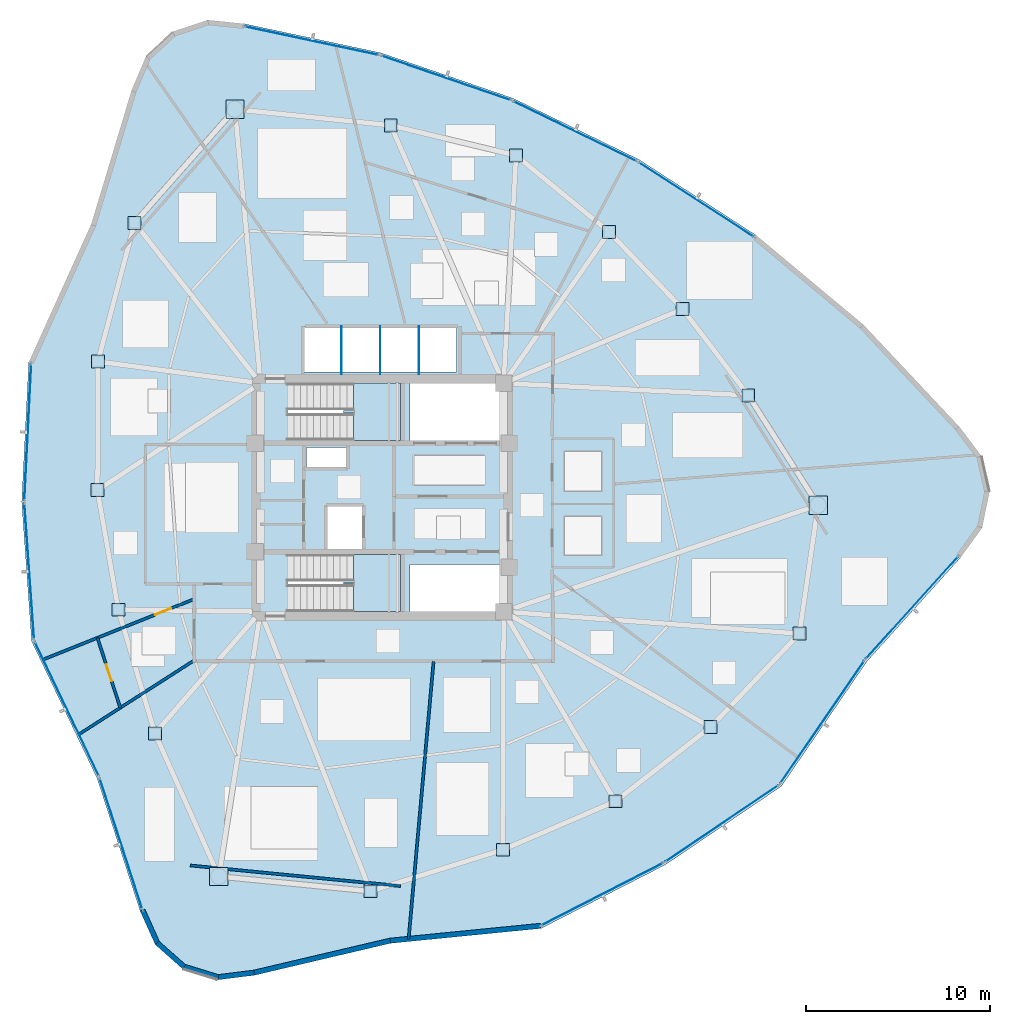
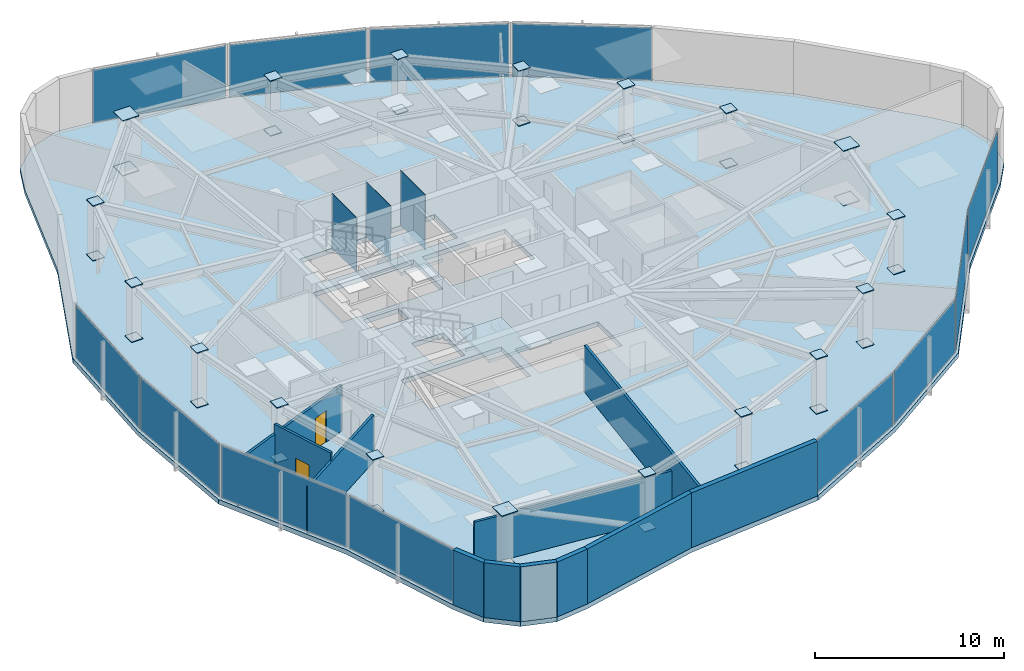
# One storey, part 10 of 17: 51 plates, 11 walls, 3 slabs, 2 doors, 2 openings, 14 elements without a shape of their own.
"""IFC4 building model written with IfcOpenShell, lengths in metres."""

from ifc_helpers import new_model, si_unit, direction, frame, frame_2d, origin, origin_2d, place, context, subcontext, project, spatial, polyline, rectangle, outline, extrude, source, transform, mapped, material, layer, layer_set, type_object, type_shapes, element, fill, aggregate, save


model = new_model("IFC4")

# Units and contexts
model_context = context("Model", 3, precision=1e-05, world=origin(), true_north=direction((0.0, 1.0)))
body_context = subcontext(model_context, "Body", "Model", "MODEL_VIEW")
ifc_project = project(units=[si_unit("LENGTHUNIT", "METRE"), si_unit("AREAUNIT", "SQUARE_METRE"), si_unit("VOLUMEUNIT", "CUBIC_METRE"), si_unit("PLANEANGLEUNIT", "RADIAN"), si_unit("MASSUNIT", "GRAM", prefix="KILO")], contexts=[model_context])

# Site, building, storey
site_placement = place(None, origin())
site = spatial("IfcSite", under=ifc_project, at=site_placement, CompositionType="ELEMENT")
building_placement = place(site_placement, origin())
building = spatial("IfcBuilding", under=site, at=building_placement, Name="Tavelor Broadcast Tower", CompositionType="ELEMENT")
storey_placement = place(building_placement, frame((0.0, 0.0, 161.800048828125)))
storey = spatial("IfcBuildingStorey", under=building, at=storey_placement, Name="L38", CompositionType="ELEMENT", Elevation=161.800048828125)

# Stair, slab
ifc_material_1 = material(Name="Concrete C40/50", Category="concrete")
stair_type = type_object("IfcStairType", Name="Reinforced Concrete Protected Dogleg Stair 1450 mm", PredefinedType="HALF_TURN_STAIR", material=ifc_material_1)
stair_1_placement = place(storey_placement, origin())
stair_1 = element("IfcStair", 1, at=stair_1_placement, inside=storey, type_object=stair_type, Name="L38 Protected Core Exit Stair ST1", PredefinedType="HALF_TURN_STAIR")
ifc_layer_1 = layer(ifc_material_1, 0.199951171875)
ifc_layer_set_1 = layer_set([ifc_layer_1], Name="Concrete C40/50")
slab_type_1 = type_object("IfcSlabType", Name="Reinforced Concrete Stair Half-Landing Slab 200 mm", PredefinedType="LANDING", material=ifc_layer_set_1)
slab_1_placement = place(storey_placement, frame((0.0, 0.0, 1.724853515625)))
slab_1 = element("IfcSlab", 2, at=slab_1_placement, type_object=slab_type_1, Name="ST1 landing 1", PredefinedType="LANDING", context=body_context, shape_type="SweptSolid", body=[
    extrude(outline(polyline([(48.445068359375, 49.590087890625), (48.445068359375, 48.094970703125), (51.0048828125, 48.094970703125), (51.0048828125, 51.205078125), (48.445068359375, 51.205078125), (48.445068359375, 49.7099609375), (47.905029296875, 49.7099609375), (47.905029296875, 49.590087890625), (48.445068359375, 49.590087890625)])), origin(), (0.0, 0.0, 1.0), 0.2001953125),
])
aggregate(stair_1, [slab_1])

stair_2_placement = place(storey_placement, origin())
stair_2 = element("IfcStair", 3, at=stair_2_placement, inside=storey, type_object=stair_type, Name="L38 Protected Core Exit Stair ST2", PredefinedType="HALF_TURN_STAIR")
slab_2_placement = place(storey_placement, frame((0.0, 0.0, 1.724853515625)))
slab_2 = element("IfcSlab", 4, at=slab_2_placement, type_object=slab_type_1, Name="ST2 landing 1", PredefinedType="LANDING", context=body_context, shape_type="SweptSolid", body=[
    extrude(outline(polyline([(48.445068359375, 40.2900390625), (48.445068359375, 38.794921875), (51.0048828125, 38.794921875), (51.0048828125, 41.905029296875), (48.445068359375, 41.905029296875), (48.445068359375, 40.409912109375), (47.905029296875, 40.409912109375), (47.905029296875, 40.2900390625), (48.445068359375, 40.2900390625)])), origin(), (0.0, 0.0, 1.0), 0.2001953125),
])
aggregate(stair_2, [slab_2])

# Slab
ifc_layer_2 = layer(ifc_material_1, 0.300048828125)
ifc_layer_set_2 = layer_set([ifc_layer_2], Name="Concrete C40/50")
slab_type_2 = type_object("IfcSlabType", Name="Tower Composite Floor Slab 300 mm", PredefinedType="FLOOR", material=ifc_layer_set_2)
slab_3_placement = place(storey_placement, frame((0.0, 0.0, -0.300048828125)))
element("IfcSlab", 5, at=slab_3_placement, inside=storey, type_object=slab_type_2, Name="L38 Structural Floor Slab", PredefinedType="FLOOR", context=body_context, shape_type="SweptSolid", body=[
    extrude(outline(polyline([(42.516845703125, 70.720458984375), (40.533203125, 70.923583984375), (38.64208984375, 70.29248046875), (37.177734375, 68.939208984375), (36.400390625, 67.103271484375), (34.2099609375, 59.8369140625), (30.81494140625, 52.337158203125), (30.43408203125, 44.75732421875), (30.973388671875, 37.1875), (34.52490234375, 29.76025390625), (36.8671875, 22.54150390625), (37.682861328125, 20.72216796875), (39.1748046875, 19.399658203125), (41.0791015625, 18.808349609375), (43.057861328125, 19.052978515625), (50.44580078125, 20.789306640625), (58.638427734375, 21.598876953125), (65.39306640625, 25.05908203125), (71.67919921875, 29.311279296875), (76.335693359375, 36.100341796875), (81.416259765625, 41.738037109375), (82.583984375, 43.354248046875), (82.983154296875, 45.3076171875), (82.543212890625, 47.25244140625), (81.341796875, 48.84375), (76.144287109375, 54.373779296875), (70.31591796875, 59.234375), (63.94189453125, 63.35400390625), (57.116455078125, 66.671875), (49.939453125, 69.139404296875), (42.516845703125, 70.720458984375)]), holes=[polyline([(56.60009765625, 41.35009765625), (56.60009765625, 38.800048828125), (51.52001953125, 38.800048828125), (51.52001953125, 41.35009765625), (56.60009765625, 41.35009765625)]), polyline([(50.99609375, 38.803955078125), (44.85400390625, 38.803955078125), (44.85400390625, 41.89599609375), (50.99609375, 41.89599609375), (50.99609375, 38.803955078125)]), polyline([(47.050048828125, 42.199951171875), (47.050048828125, 44.550048828125), (48.949951171875, 44.550048828125), (48.949951171875, 42.199951171875), (47.050048828125, 42.199951171875)]), polyline([(48.050048828125, 46.64990234375), (45.89990234375, 46.64990234375), (45.89990234375, 47.699951171875), (48.050048828125, 47.699951171875), (48.050048828125, 46.64990234375)]), polyline([(50.99609375, 48.10400390625), (44.85400390625, 48.10400390625), (44.85400390625, 51.196044921875), (50.99609375, 51.196044921875), (50.99609375, 48.10400390625)]), polyline([(56.60009765625, 48.10009765625), (51.52001953125, 48.10009765625), (51.52001953125, 51.199951171875), (56.60009765625, 51.199951171875), (56.60009765625, 48.10009765625)]), polyline([(54.050048828125, 51.800048828125), (45.800048828125, 51.800048828125), (45.800048828125, 54.25), (54.050048828125, 54.25), (54.050048828125, 51.800048828125)])]), origin(), (0.0, 0.0, 1.0), 0.300048828125),
])

# Plates
ifc_material_2 = material(Name="Steel S460", Category="steel")
ifc_layer_3 = layer(ifc_material_2, 0.050048828125)
ifc_layer_set_3 = layer_set([ifc_layer_3], Name="Steel S460")
plate_type_1 = type_object("IfcPlateType", Name="Tube Hollow-End Cap Plate KN05 700x700x50", PredefinedType="USERDEFINED", material=ifc_layer_set_3)
shared_shape_1 = source(origin(), body_context, "Body", "SweptSolid", [
    extrude(rectangle(XDim=0.699951171875, YDim=0.699951171875, at=origin_2d()), origin(), (0.0, 0.0, 1.0), 0.054931640625),
])
for number, where, z_axis, x_axis, name in (
    (6, (36.567626953125, 59.91064453125, -0.02734375), (0.0, 0.0, 1.0), (1.0, 0.0, 0.0), "L38 Hollow End Cap Plate KN05 #1073"),
    (7, (36.567626953125, 59.91064453125, 3.5224609375), (0.0, 0.0, 1.0), (1.0, 0.0, 0.0), "L38 Hollow End Cap Plate KN05 #1074"),
    (8, (34.5751953125, 52.37939453125, -0.02734375), (0.0, 0.0, 1.0), (1.0, 0.0, 0.0), "L38 Hollow End Cap Plate KN05 #1075"),
    (9, (34.5751953125, 52.37939453125, 3.5224609375), (0.0, 0.0, 1.0), (1.0, 0.0, 0.0), "L38 Hollow End Cap Plate KN05 #1076"),
    (10, (34.54638671875, 45.399169921875, -0.02734375), (0.0, 0.0, 1.0), (1.0, 0.0, 0.0), "L38 Hollow End Cap Plate KN05 #1077"),
    (11, (34.54638671875, 45.399169921875, 3.5224609375), (0.0, 0.0, 1.0), (1.0, 0.0, 0.0), "L38 Hollow End Cap Plate KN05 #1078"),
    (12, (35.680908203125, 38.89990234375, -0.02734375), (0.0, 0.0, 1.0), (1.0, 0.0, 0.0), "L38 Hollow End Cap Plate KN05 #1079"),
    (13, (35.680908203125, 38.89990234375, 3.5224609375), (0.0, 0.0, 1.0), (1.0, 0.0, 0.0), "L38 Hollow End Cap Plate KN05 #1080"),
    (14, (37.668212890625, 32.1904296875, -0.02734375), (0.0, 0.0, 1.0), (1.0, 0.0, 0.0), "L38 Hollow End Cap Plate KN05 #1081"),
    (15, (37.668212890625, 32.1904296875, 3.5224609375), (0.0, 0.0, 1.0), (1.0, 0.0, 0.0), "L38 Hollow End Cap Plate KN05 #1082"),
    (16, (49.366455078125, 23.618896484375, -0.02734375), (0.0, 0.0, 1.0), (1.0, 0.0, 0.0), "L38 Hollow End Cap Plate KN05 #1085"),
    (17, (49.366455078125, 23.618896484375, 3.5224609375), (0.0, 0.0, 1.0), (1.0, 0.0, 0.0), "L38 Hollow End Cap Plate KN05 #1086"),
    (18, (56.56103515625, 25.872802734375, -0.02734375), (0.0, 0.0, 1.0), (1.0, 0.0, 0.0), "L38 Hollow End Cap Plate KN05 #1087"),
    (19, (56.56103515625, 25.872802734375, 3.5224609375), (0.0, 0.0, 1.0), (1.0, 0.0, 0.0), "L38 Hollow End Cap Plate KN05 #1088"),
    (20, (62.669189453125, 28.503173828125, -0.02734375), (0.0, 0.0, 1.0), (1.0, 0.0, 0.0), "L38 Hollow End Cap Plate KN05 #1089"),
    (21, (62.669189453125, 28.503173828125, 3.5224609375), (0.0, 0.0, 1.0), (1.0, 0.0, 0.0), "L38 Hollow End Cap Plate KN05 #1090"),
    (22, (67.84228515625, 32.53173828125, -0.02734375), (0.0, 0.0, 1.0), (1.0, 0.0, 0.0), "L38 Hollow End Cap Plate KN05 #1091"),
    (23, (67.84228515625, 32.53173828125, 3.5224609375), (0.0, 0.0, 1.0), (1.0, 0.0, 0.0), "L38 Hollow End Cap Plate KN05 #1092"),
    (24, (72.6591796875, 37.607421875, -0.02734375), (0.0, 0.0, 1.0), (1.0, 0.0, 0.0), "L38 Hollow End Cap Plate KN05 #1093"),
    (25, (72.6591796875, 37.607421875, 3.5224609375), (0.0, 0.0, 1.0), (1.0, 0.0, 0.0), "L38 Hollow End Cap Plate KN05 #1094"),
    (26, (69.885986328125, 50.544189453125, -0.02734375), (0.0, 0.0, 1.0), (1.0, 0.0, 0.0), "L38 Hollow End Cap Plate KN05 #1097"),
    (27, (69.885986328125, 50.544189453125, 3.5224609375), (0.0, 0.0, 1.0), (1.0, 0.0, 0.0), "L38 Hollow End Cap Plate KN05 #1098"),
    (28, (66.322021484375, 55.228759765625, -0.02734375), (0.0, 0.0, 1.0), (1.0, 0.0, 0.0), "L38 Hollow End Cap Plate KN05 #1099"),
    (29, (66.322021484375, 55.228759765625, 3.5224609375), (0.0, 0.0, 1.0), (1.0, 0.0, 0.0), "L38 Hollow End Cap Plate KN05 #1100"),
    (30, (62.330810546875, 59.416259765625, -0.02734375), (0.0, 0.0, 1.0), (1.0, 0.0, 0.0), "L38 Hollow End Cap Plate KN05 #1101"),
    (31, (62.330810546875, 59.416259765625, 3.5224609375), (0.0, 0.0, 1.0), (1.0, 0.0, 0.0), "L38 Hollow End Cap Plate KN05 #1102"),
    (32, (57.276611328125, 63.568359375, -0.02734375), (0.0, 0.0, 1.0), (1.0, 0.0, 0.0), "L38 Hollow End Cap Plate KN05 #1103"),
    (33, (57.276611328125, 63.568359375, 3.5224609375), (0.0, 0.0, 1.0), (1.0, 0.0, 0.0), "L38 Hollow End Cap Plate KN05 #1104"),
    (34, (50.472412109375, 65.2021484375, -0.02734375), (0.0, 0.0, 1.0), (1.0, 0.0, 0.0), "L38 Hollow End Cap Plate KN05 #1105"),
    (35, (50.472412109375, 65.2021484375, 3.5224609375), (0.0, 0.0, 1.0), (1.0, 0.0, 0.0), "L38 Hollow End Cap Plate KN05 #1106"),
):
    element("IfcPlate", number, at=place(storey_placement, frame(where, z_axis=z_axis, x_axis=x_axis)), inside=storey, type_object=plate_type_1, Name=name, ObjectType="CAP PLATE", PredefinedType="USERDEFINED", context=body_context, shape_type="MappedRepresentation", body=[
        mapped(shared_shape_1, transform((0.0, 0.0, 0.0), scale=1.0)),
    ])
shared_shape_2 = source(origin(), body_context, "Body", "SweptSolid", [
    extrude(rectangle(XDim=0.993896484375, YDim=0.993896484375, at=origin_2d()), origin(), (0.0, 0.0, 1.0), 0.054931640625),
])
type_shapes(plate_type_1, [shared_shape_1, shared_shape_2])
for number, where, z_axis, x_axis, name in (
    (36, (42.01123046875, 66.080078125, -0.02734375), (0.0, 0.0, 1.0), (1.0, 0.0, 0.0), "L38 Hollow End Cap Plate KN05 #1071"),
    (37, (42.01123046875, 66.080078125, 3.5224609375), (0.0, 0.0, 1.0), (1.0, 0.0, 0.0), "L38 Hollow End Cap Plate KN05 #1072"),
    (38, (41.138671875, 24.423828125, -0.02734375), (0.0, 0.0, 1.0), (1.0, 0.0, 0.0), "L38 Hollow End Cap Plate KN05 #1083"),
    (39, (41.138671875, 24.423828125, 3.5224609375), (0.0, 0.0, 1.0), (1.0, 0.0, 0.0), "L38 Hollow End Cap Plate KN05 #1084"),
    (40, (73.676025390625, 44.57958984375, -0.02734375), (0.0, 0.0, 1.0), (1.0, 0.0, 0.0), "L38 Hollow End Cap Plate KN05 #1095"),
    (41, (73.676025390625, 44.57958984375, 3.5224609375), (0.0, 0.0, 1.0), (1.0, 0.0, 0.0), "L38 Hollow End Cap Plate KN05 #1096"),
):
    element("IfcPlate", number, at=place(storey_placement, frame(where, z_axis=z_axis, x_axis=x_axis)), inside=storey, type_object=plate_type_1, Name=name, ObjectType="CAP PLATE", PredefinedType="USERDEFINED", context=body_context, shape_type="MappedRepresentation", body=[
        mapped(shared_shape_2, transform((0.0, 0.0, 0.0), scale=1.0)),
    ])
ifc_material_3 = material(Name="Steel S355", Category="steel")
ifc_layer_4 = layer(ifc_material_3, 0.011962890625)
ifc_layer_set_4 = layer_set([ifc_layer_4], Name="Steel S355")
plate_type_2 = type_object("IfcPlateType", Name="Hoistway Steel Separator Screen 12 mm", PredefinedType="SHEET", material=ifc_layer_set_4)
shared_shape_3 = source(origin(), body_context, "Body", "SweptSolid", [
    extrude(rectangle(XDim=0.02001953125, YDim=2.6201171875, at=origin_2d()), origin(), (0.0, 0.0, 1.0), 3.550048828125),
])
type_shapes(plate_type_2, [shared_shape_3])
for number, where, z_axis, x_axis, name in (
    (42, (47.800048828125, 52.989990234375, 0.0), (0.0, 0.0, 1.0), (1.0, 0.0, 0.0), "L38 High-Rise Hoistway Separator Screen 1"),
    (43, (49.89990234375, 52.989990234375, 0.0), (0.0, 0.0, 1.0), (1.0, 0.0, 0.0), "L38 High-Rise Hoistway Separator Screen 2"),
    (44, (52.0, 52.989990234375, 0.0), (0.0, 0.0, 1.0), (1.0, 0.0, 0.0), "L38 High-Rise Hoistway Separator Screen 3"),
):
    element("IfcPlate", number, at=place(storey_placement, frame(where, z_axis=z_axis, x_axis=x_axis)), inside=storey, type_object=plate_type_2, Name=name, PredefinedType="SHEET", context=body_context, shape_type="MappedRepresentation", body=[
        mapped(shared_shape_3, transform((0.0, 0.0, 0.0), scale=1.0)),
    ])

# Curtain wall, plate
ifc_material_4 = material(Name="Architectural Anodized Aluminium", Category="aluminium")
ifc_layer_5 = layer(ifc_material_4, 0.18994140625)
ifc_layer_set_5 = layer_set([ifc_layer_5], Name="Architectural Anodized Aluminium")
curtain_wall_type = type_object("IfcCurtainWallType", Name="Tower Mid-Zone Acoustic Curtain Wall CW03", PredefinedType="NOTDEFINED", material=ifc_layer_set_5)
curtain_wall_1_placement = place(storey_placement, origin())
curtain_wall_1 = element("IfcCurtainWall", 45, at=curtain_wall_1_placement, inside=storey, type_object=curtain_wall_type, Name="L38 Curtain Wall CW03 Run 397", PredefinedType="NOTDEFINED")
ifc_material_5 = material(Name="Solar Control Double Glazing 30 mm", Category="glass")
ifc_layer_6 = layer(ifc_material_5, 0.030029296875)
ifc_layer_set_6 = layer_set([ifc_layer_6], Name="Solar Control Double Glazing 30 mm")
plate_type_3 = type_object("IfcPlateType", Name="CW03 Insulated Vision Glazing Panel 30 mm", PredefinedType="CURTAIN_PANEL", material=ifc_layer_set_6)
shared_shape_4 = source(origin(), body_context, "Body", "SweptSolid", [
    extrude(rectangle(XDim=7.4033203125, YDim=0.030029296875, at=origin_2d()), origin(), (0.0, 0.0, 1.0), 3.4140625),
])
plate_1_placement = place(storey_placement, frame((30.764404296875, 48.538818359375, 0.06787109375), z_axis=(0.0, 0.0, 1.0), x_axis=(-0.05016386179, -0.998741000946, 0.0)))
plate_1 = element("IfcPlate", 46, at=plate_1_placement, type_object=plate_type_3, Name="CW03 panel 1.1", PredefinedType="CURTAIN_PANEL", context=body_context, shape_type="MappedRepresentation", body=[
    mapped(shared_shape_4, transform((0.0, 0.0, 0.0), scale=1.0)),
])
aggregate(curtain_wall_1, [plate_1])

curtain_wall_2_placement = place(storey_placement, origin())
curtain_wall_2 = element("IfcCurtainWall", 47, at=curtain_wall_2_placement, inside=storey, type_object=curtain_wall_type, Name="L38 Curtain Wall CW03 Run 401", PredefinedType="NOTDEFINED")
plate_2_placement = place(storey_placement, frame((61.953369140625, 23.454345703125, 0.06787109375), z_axis=(0.0, 0.0, 1.0), x_axis=(0.890012646923, 0.455935837939, 0.0)))
plate_2 = element("IfcPlate", 48, at=plate_2_placement, type_object=plate_type_3, Name="CW03 panel 1.1", PredefinedType="CURTAIN_PANEL", context=body_context, shape_type="MappedRepresentation", body=[
    mapped(shared_shape_4, transform((0.0, 0.0, 0.0), scale=1.0)),
])
aggregate(curtain_wall_2, [plate_2])

curtain_wall_3_placement = place(storey_placement, origin())
curtain_wall_3 = element("IfcCurtainWall", 49, at=curtain_wall_3_placement, inside=storey, type_object=curtain_wall_type, Name="L38 Curtain Wall CW03 Run 398", PredefinedType="NOTDEFINED")
shared_shape_5 = source(origin(), body_context, "Body", "SweptSolid", [
    extrude(rectangle(XDim=7.38818359375, YDim=0.030029296875, at=origin_2d()), origin(), (0.0, 0.0, 1.0), 3.4140625),
])
plate_3_placement = place(storey_placement, frame((30.8427734375, 40.991455078125, 0.06787109375), z_axis=(0.0, 0.0, 1.0), x_axis=(0.071064758639, -0.997471703899, 0.0)))
plate_3 = element("IfcPlate", 50, at=plate_3_placement, type_object=plate_type_3, Name="CW03 panel 1.1", PredefinedType="CURTAIN_PANEL", context=body_context, shape_type="MappedRepresentation", body=[
    mapped(shared_shape_5, transform((0.0, 0.0, 0.0), scale=1.0)),
])
aggregate(curtain_wall_3, [plate_3])

curtain_wall_4_placement = place(storey_placement, origin())
curtain_wall_4 = element("IfcCurtainWall", 51, at=curtain_wall_4_placement, inside=storey, type_object=curtain_wall_type, Name="L38 Curtain Wall CW03 Run 402", PredefinedType="NOTDEFINED")
plate_4_placement = place(storey_placement, frame((68.4501953125, 27.296142578125, 0.06787109375), z_axis=(0.0, 0.0, 1.0), x_axis=(0.828299921306, 0.560284963536, 0.0)))
plate_4 = element("IfcPlate", 52, at=plate_4_placement, type_object=plate_type_3, Name="CW03 panel 1.1", PredefinedType="CURTAIN_PANEL", context=body_context, shape_type="MappedRepresentation", body=[
    mapped(shared_shape_5, transform((0.0, 0.0, 0.0), scale=1.0)),
])
aggregate(curtain_wall_4, [plate_4])

curtain_wall_5_placement = place(storey_placement, origin())
curtain_wall_5 = element("IfcCurtainWall", 53, at=curtain_wall_5_placement, inside=storey, type_object=curtain_wall_type, Name="L38 Curtain Wall CW03 Run 399", PredefinedType="NOTDEFINED")
shared_shape_6 = source(origin(), body_context, "Body", "SweptSolid", [
    extrude(rectangle(XDim=8.04931640625, YDim=0.030029296875, at=origin_2d()), origin(), (0.0, 0.0, 1.0), 3.4140625),
])
plate_5_placement = place(storey_placement, frame((32.883056640625, 33.51806640625, 0.06787109375), z_axis=(0.0, 0.0, 1.0), x_axis=(0.431374223524, -0.902173087206, 0.0)))
plate_5 = element("IfcPlate", 54, at=plate_5_placement, type_object=plate_type_3, Name="CW03 panel 1.1", PredefinedType="CURTAIN_PANEL", context=body_context, shape_type="MappedRepresentation", body=[
    mapped(shared_shape_6, transform((0.0, 0.0, 0.0), scale=1.0)),
])
aggregate(curtain_wall_5, [plate_5])

curtain_wall_6_placement = place(storey_placement, origin())
curtain_wall_6 = element("IfcCurtainWall", 55, at=curtain_wall_6_placement, inside=storey, type_object=curtain_wall_type, Name="L38 Curtain Wall CW03 Run 403", PredefinedType="NOTDEFINED")
plate_6_placement = place(storey_placement, frame((73.902099609375, 32.7998046875, 0.06787109375), z_axis=(0.0, 0.0, 1.0), x_axis=(0.565616436404, 0.824668446632, 0.0)))
plate_6 = element("IfcPlate", 56, at=plate_6_placement, type_object=plate_type_3, Name="CW03 panel 1.1", PredefinedType="CURTAIN_PANEL", context=body_context, shape_type="MappedRepresentation", body=[
    mapped(shared_shape_6, transform((0.0, 0.0, 0.0), scale=1.0)),
])
aggregate(curtain_wall_6, [plate_6])

curtain_wall_7_placement = place(storey_placement, origin())
curtain_wall_7 = element("IfcCurtainWall", 57, at=curtain_wall_7_placement, inside=storey, type_object=curtain_wall_type, Name="L38 Curtain Wall CW03 Run 400", PredefinedType="NOTDEFINED")
shared_shape_7 = source(origin(), body_context, "Body", "SweptSolid", [
    extrude(rectangle(XDim=7.43994140625, YDim=0.030029296875, at=origin_2d()), origin(), (0.0, 0.0, 1.0), 3.4140625),
])
plate_7_placement = place(storey_placement, frame((35.828857421875, 26.19482421875, 0.06787109375), z_axis=(0.0, 0.0, 1.0), x_axis=(0.30863058344, -0.951181982044, 0.0)))
plate_7 = element("IfcPlate", 58, at=plate_7_placement, type_object=plate_type_3, Name="CW03 panel 1.1", PredefinedType="CURTAIN_PANEL", context=body_context, shape_type="MappedRepresentation", body=[
    mapped(shared_shape_7, transform((0.0, 0.0, 0.0), scale=1.0)),
])
aggregate(curtain_wall_7, [plate_7])

curtain_wall_8_placement = place(storey_placement, origin())
curtain_wall_8 = element("IfcCurtainWall", 59, at=curtain_wall_8_placement, inside=storey, type_object=curtain_wall_type, Name="L38 Curtain Wall CW03 Run 404", PredefinedType="NOTDEFINED")
plate_8_placement = place(storey_placement, frame((78.771240234375, 39.01220703125, 0.06787109375), z_axis=(0.0, 0.0, 1.0), x_axis=(0.669445174677, 0.742861466293, 0.0)))
plate_8 = element("IfcPlate", 60, at=plate_8_placement, type_object=plate_type_3, Name="CW03 panel 1.1", PredefinedType="CURTAIN_PANEL", context=body_context, shape_type="MappedRepresentation", body=[
    mapped(shared_shape_7, transform((0.0, 0.0, 0.0), scale=1.0)),
])
aggregate(curtain_wall_8, [plate_8])

curtain_wall_9_placement = place(storey_placement, origin())
curtain_wall_9 = element("IfcCurtainWall", 61, at=curtain_wall_9_placement, inside=storey, type_object=curtain_wall_type, Name="L38 Curtain Wall CW03 Run 405", PredefinedType="NOTDEFINED")
shared_shape_8 = source(origin(), body_context, "Body", "SweptSolid", [
    extrude(rectangle(XDim=7.42138671875, YDim=0.030029296875, at=origin_2d()), origin(), (0.0, 0.0, 1.0), 3.4140625),
])
plate_9_placement = place(storey_placement, frame((67.05908203125, 61.172607421875, 0.06787109375), z_axis=(0.0, 0.0, 1.0), x_axis=(-0.839850499869, 0.542817775935, 0.0)))
plate_9 = element("IfcPlate", 62, at=plate_9_placement, type_object=plate_type_3, Name="CW03 panel 1.1", PredefinedType="CURTAIN_PANEL", context=body_context, shape_type="MappedRepresentation", body=[
    mapped(shared_shape_8, transform((0.0, 0.0, 0.0), scale=1.0)),
])
aggregate(curtain_wall_9, [plate_9])

curtain_wall_10_placement = place(storey_placement, origin())
curtain_wall_10 = element("IfcCurtainWall", 63, at=curtain_wall_10_placement, inside=storey, type_object=curtain_wall_type, Name="L38 Curtain Wall CW03 Run 406", PredefinedType="NOTDEFINED")
shared_shape_9 = source(origin(), body_context, "Body", "SweptSolid", [
    extrude(rectangle(XDim=7.40625, YDim=0.030029296875, at=origin_2d()), origin(), (0.0, 0.0, 1.0), 3.4140625),
])
plate_10_placement = place(storey_placement, frame((60.468017578125, 64.886962890625, 0.06787109375), z_axis=(0.0, 0.0, 1.0), x_axis=(-0.899375022259, 0.437177960717, 0.0)))
plate_10 = element("IfcPlate", 64, at=plate_10_placement, type_object=plate_type_3, Name="CW03 panel 1.1", PredefinedType="CURTAIN_PANEL", context=body_context, shape_type="MappedRepresentation", body=[
    mapped(shared_shape_9, transform((0.0, 0.0, 0.0), scale=1.0)),
])
aggregate(curtain_wall_10, [plate_10])

curtain_wall_11_placement = place(storey_placement, origin())
curtain_wall_11 = element("IfcCurtainWall", 65, at=curtain_wall_11_placement, inside=storey, type_object=curtain_wall_type, Name="L38 Curtain Wall CW03 Run 407", PredefinedType="NOTDEFINED")
plate_11_placement = place(storey_placement, frame((53.482421875, 67.773193359375, 0.06787109375), z_axis=(0.0, 0.0, 1.0), x_axis=(-0.945662013384, 0.325151282394, 0.0)))
plate_11 = element("IfcPlate", 66, at=plate_11_placement, type_object=plate_type_3, Name="CW03 panel 1.1", PredefinedType="CURTAIN_PANEL", context=body_context, shape_type="MappedRepresentation", body=[
    mapped(shared_shape_9, transform((0.0, 0.0, 0.0), scale=1.0)),
])
aggregate(curtain_wall_11, [plate_11])

curtain_wall_12_placement = place(storey_placement, origin())
curtain_wall_12 = element("IfcCurtainWall", 67, at=curtain_wall_12_placement, inside=storey, type_object=curtain_wall_type, Name="L38 Curtain Wall CW03 Run 408", PredefinedType="NOTDEFINED")
shared_shape_10 = source(origin(), body_context, "Body", "SweptSolid", [
    extrude(rectangle(XDim=7.422119140625, YDim=0.030029296875, at=origin_2d()), origin(), (0.0, 0.0, 1.0), 3.4140625),
])
type_shapes(plate_type_3, [shared_shape_4, shared_shape_5, shared_shape_6, shared_shape_7, shared_shape_8, shared_shape_9, shared_shape_10])
plate_12_placement = place(storey_placement, frame((46.191162109375, 69.794677734375, 0.06787109375), z_axis=(0.0, 0.0, 1.0), x_axis=(-0.978063620518, 0.208306395051, 0.0)))
plate_12 = element("IfcPlate", 68, at=plate_12_placement, type_object=plate_type_3, Name="CW03 panel 1.1", PredefinedType="CURTAIN_PANEL", context=body_context, shape_type="MappedRepresentation", body=[
    mapped(shared_shape_10, transform((0.0, 0.0, 0.0), scale=1.0)),
])
aggregate(curtain_wall_12, [plate_12])

# Walls
ifc_material_6 = material(Name="Precast Concrete C40/50", Category="concrete")
ifc_layer_7 = layer(ifc_material_6, 0.280029296875)
ifc_layer_set_7 = layer_set([ifc_layer_7], Name="Precast Concrete C40/50")
wall_type_1 = type_object("IfcWallType", Name="Insulated Precast Terracotta Facade Wall 280 mm", PredefinedType="STANDARD", material=ifc_layer_set_7)
wall_1_placement = place(storey_placement, frame((36.996337890625, 22.595458984375, 0.0), z_axis=(0.0, 0.0, 1.0), x_axis=(0.409141081394, -0.912471136812, 0.0)))
element("IfcWall", 69, at=wall_1_placement, inside=storey, type_object=wall_type_1, Name="L38 Rounded Corner Structural Cladding Pier 11", PredefinedType="STANDARD", context=body_context, shape_type="SweptSolid", body=[
    extrude(rectangle(XDim=1.97509765625, YDim=0.280029296875, at=frame_2d((0.987548828125, 0.0))), origin(), (0.0, 0.0, 1.0), 3.550048828125),
])
wall_2_placement = place(storey_placement, frame((37.787109375, 20.81689453125, 0.0), z_axis=(0.0, 0.0, 1.0), x_axis=(0.748293631721, -0.663367651251, 0.0)))
element("IfcWall", 70, at=wall_2_placement, inside=storey, type_object=wall_type_1, Name="L38 Rounded Corner Structural Cladding Pier 12", PredefinedType="STANDARD", context=body_context, shape_type="SweptSolid", body=[
    extrude(rectangle(XDim=1.96337890625, YDim=0.280029296875, at=frame_2d((0.981689453125, 0.0))), origin(), (0.0, 0.0, 1.0), 3.550048828125),
])
wall_3_placement = place(storey_placement, frame((39.23095703125, 19.52880859375, 0.0), z_axis=(0.0, 0.0, 1.0), x_axis=(0.955020433724, -0.296539999275, 0.0)))
element("IfcWall", 71, at=wall_3_placement, inside=storey, type_object=wall_type_1, Name="L38 Rounded Corner Structural Cladding Pier 13", PredefinedType="STANDARD", context=body_context, shape_type="SweptSolid", body=[
    extrude(rectangle(XDim=1.963623046875, YDim=0.280029296875, at=frame_2d((0.98193359375, 0.0))), origin(), (0.0, 0.0, 1.0), 3.550048828125),
])
wall_4_placement = place(storey_placement, frame((41.076904296875, 18.94921875, 0.0), z_axis=(0.0, 0.0, 1.0), x_axis=(0.992432165856, 0.122794121091, 0.0)))
element("IfcWall", 72, at=wall_4_placement, inside=storey, type_object=wall_type_1, Name="L38 Rounded Corner Structural Cladding Pier 14", PredefinedType="STANDARD", context=body_context, shape_type="SweptSolid", body=[
    extrude(rectangle(XDim=1.986328125, YDim=0.280029296875, at=frame_2d((0.9931640625, 0.0))), origin(), (0.0, 0.0, 1.0), 3.550048828125),
])
wall_5_placement = place(storey_placement, frame((43.0185546875, 19.187744140625, 0.0), z_axis=(0.0, 0.0, 1.0), x_axis=(0.97348938317, 0.228732203364, 0.0)))
element("IfcWall", 73, at=wall_5_placement, inside=storey, type_object=wall_type_1, Name="L38 Rounded Corner Structural Cladding Pier 15", PredefinedType="STANDARD", context=body_context, shape_type="SweptSolid", body=[
    extrude(rectangle(XDim=7.62109375, YDim=0.280029296875, at=frame_2d((3.810546875, 0.0))), origin(), (0.0, 0.0, 1.0), 3.550048828125),
])
wall_6_placement = place(storey_placement, frame((50.407958984375, 20.926025390625, 0.0), z_axis=(0.0, 0.0, 1.0), x_axis=(0.995149277754, 0.098376394458, 0.0)))
element("IfcWall", 74, at=wall_6_placement, inside=storey, type_object=wall_type_1, Name="L38 Rounded Corner Structural Cladding Pier 16", PredefinedType="STANDARD", context=body_context, shape_type="SweptSolid", body=[
    extrude(rectangle(XDim=8.234375, YDim=0.280029296875, at=frame_2d((4.1171875, 0.0))), origin(), (0.0, 0.0, 1.0), 3.550048828125),
])
ifc_material_7 = material(Name="Gypsum Acoustic Plasterboard 150 mm", Category="gypsum")
ifc_layer_8 = layer(ifc_material_7, 0.14990234375)
ifc_layer_set_8 = layer_set([ifc_layer_8], Name="Gypsum Acoustic Plasterboard 150 mm")
wall_type_2 = type_object("IfcWallType", Name="Interior Acoustic Partition Wall 150 mm", PredefinedType="PARTITIONING", material=ifc_layer_set_8)
wall_7_placement = place(storey_placement, frame((39.589111328125, 25.017578125, 0.0), z_axis=(0.0, 0.0, 1.0), x_axis=(0.99524905582, -0.097361783517, 0.0)))
element("IfcWall", 75, at=wall_7_placement, inside=storey, type_object=wall_type_2, Name="L38 Corner Tube Brace Furring Wall 2", PredefinedType="PARTITIONING", context=body_context, shape_type="SweptSolid", body=[
    extrude(rectangle(XDim=11.467041015625, YDim=0.14990234375, at=frame_2d((5.7333984375, 0.0))), origin(), (0.0, 0.0, 1.0), 2.93505859375),
])

# Wall, opening, door
wall_8_placement = place(storey_placement, frame((39.800048828125, 39.4794921875, 0.0), z_axis=(0.0, 0.0, 1.0), x_axis=(-0.928461453954, -0.371428766416, 0.0)))
wall_8 = element("IfcWall", 76, at=wall_8_placement, inside=storey, type_object=wall_type_2, Name="L38 Radial Compartment Wall 03", PredefinedType="PARTITIONING", context=body_context, shape_type="SweptSolid", body=[
    extrude(rectangle(XDim=8.8408203125, YDim=0.14990234375, at=frame_2d((4.42041015625, 0.0))), origin(), (0.0, 0.0, 1.0), 2.93505859375),
])
opening_1_placement = place(wall_8_placement, frame((1.35009765625, 0.0, 0.0)))
opening_1 = element("IfcOpeningElement", 77, at=opening_1_placement, cuts=wall_8, Name="Opening DR18", PredefinedType="OPENING", context=body_context, shape_type="SweptSolid", body=[
    extrude(rectangle(XDim=0.949951171875, YDim=2.050048828125, at=frame_2d((0.47509765625, 1.02490234375))), frame((0.0, 0.0849609375, 0.0), z_axis=(0.0, -1.0, 0.0), x_axis=(1.0, 0.0, 0.0)), (0.0, 0.0, 1.0), 0.169921875),
])
ifc_material_8 = material(Name="Timber Solid Core Hardwood", Category="wood")
door_type_1 = type_object("IfcDoorType", Name="Corridor Rated Compartment Door 950x2050", OperationType="NOTDEFINED", PredefinedType="DOOR", material=ifc_material_8)
door_1_placement = place(opening_1_placement, origin())
door_1 = element("IfcDoor", 78, at=door_1_placement, inside=storey, type_object=door_type_1, Name="L38 Suite Connecting Door 2", OperationType="SINGLE_SWING_LEFT", OverallHeight=2.050048828125, OverallWidth=0.949951171875, PredefinedType="DOOR", context=body_context, shape_type="SweptSolid", body=[
    extrude(rectangle(XDim=0.949951171875, YDim=2.050048828125, at=frame_2d((0.47509765625, 1.02490234375))), frame((0.0, 0.02490234375, 0.0), z_axis=(0.0, -1.0, 0.0), x_axis=(1.0, 0.0, 0.0)), (0.0, 0.0, 1.0), 0.050048828125),
])
fill(opening_1, door_1)

# Walls
wall_9_placement = place(storey_placement, frame((39.800048828125, 36.15234375, 0.0), z_axis=(0.0, 0.0, 1.0), x_axis=(-0.841822586313, -0.539754326683, 0.0)))
element("IfcWall", 79, at=wall_9_placement, inside=storey, type_object=wall_type_2, Name="L38 Radial Compartment Wall 04", PredefinedType="PARTITIONING", context=body_context, shape_type="SweptSolid", body=[
    extrude(rectangle(XDim=7.44384765625, YDim=0.14990234375, at=frame_2d((3.721923828125, 0.0))), origin(), (0.0, 0.0, 1.0), 3.02490234375),
])
wall_10_placement = place(storey_placement, frame((52.798583984375, 36.10009765625, 0.0), z_axis=(0.0, 0.0, 1.0), x_axis=(-0.089657690779, -0.995972639426, 0.0)))
element("IfcWall", 80, at=wall_10_placement, inside=storey, type_object=wall_type_2, Name="L38 Radial Compartment Wall 05", PredefinedType="PARTITIONING", context=body_context, shape_type="SweptSolid", body=[
    extrude(rectangle(XDim=15.142822265625, YDim=0.14990234375, at=frame_2d((7.5712890625, 0.0))), origin(), (0.0, 0.0, 1.0), 3.02490234375),
])

# Wall, opening, door
wall_11_placement = place(storey_placement, frame((34.546630859375, 37.377685546875, 0.0), z_axis=(0.0, 0.0, 1.0), x_axis=(0.311126376448, -0.950368548447, 0.0)))
wall_11 = element("IfcWall", 81, at=wall_11_placement, inside=storey, type_object=wall_type_2, Name="L38 Suite Chord Partition Wall 02", PredefinedType="PARTITIONING", context=body_context, shape_type="SweptSolid", body=[
    extrude(rectangle(XDim=3.994873046875, YDim=0.14990234375, at=frame_2d((1.99755859375, 0.0))), origin(), (0.0, 0.0, 1.0), 3.550048828125),
])
opening_2_placement = place(wall_11_placement, frame((1.5224609375, 0.0, 0.0)))
opening_2 = element("IfcOpeningElement", 82, at=opening_2_placement, cuts=wall_11, Name="Opening DR23", PredefinedType="OPENING", context=body_context, shape_type="SweptSolid", body=[
    extrude(rectangle(XDim=0.949951171875, YDim=2.050048828125, at=frame_2d((0.47509765625, 1.02490234375))), frame((0.0, 0.0849609375, 0.0), z_axis=(0.0, -1.0, 0.0), x_axis=(1.0, 0.0, 0.0)), (0.0, 0.0, 1.0), 0.169921875),
])
door_type_2 = type_object("IfcDoorType", Name="Editorial Room Acoustic Door 950x2050", OperationType="NOTDEFINED", PredefinedType="DOOR", material=ifc_material_8)
door_2_placement = place(opening_2_placement, origin())
door_2 = element("IfcDoor", 83, at=door_2_placement, inside=storey, type_object=door_type_2, Name="L38 Outer Suite Partition Door 2", OperationType="SINGLE_SWING_RIGHT", OverallHeight=2.050048828125, OverallWidth=0.949951171875, PredefinedType="DOOR", context=body_context, shape_type="SweptSolid", body=[
    extrude(rectangle(XDim=0.949951171875, YDim=2.050048828125, at=frame_2d((0.47509765625, 1.02490234375))), frame((0.0, 0.02490234375, 0.0), z_axis=(0.0, -1.0, 0.0), x_axis=(1.0, 0.0, 0.0)), (0.0, 0.0, 1.0), 0.050048828125),
])
fill(opening_2, door_2)

save(model, "model.ifc")
